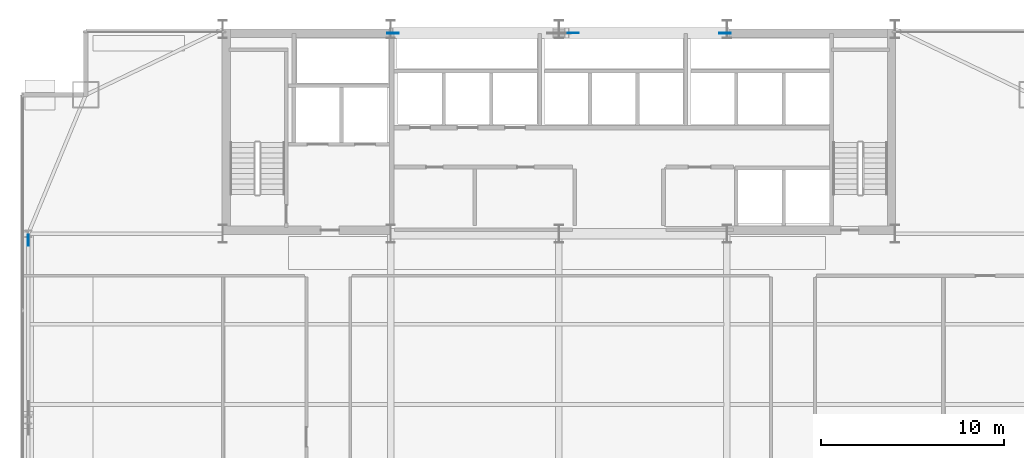
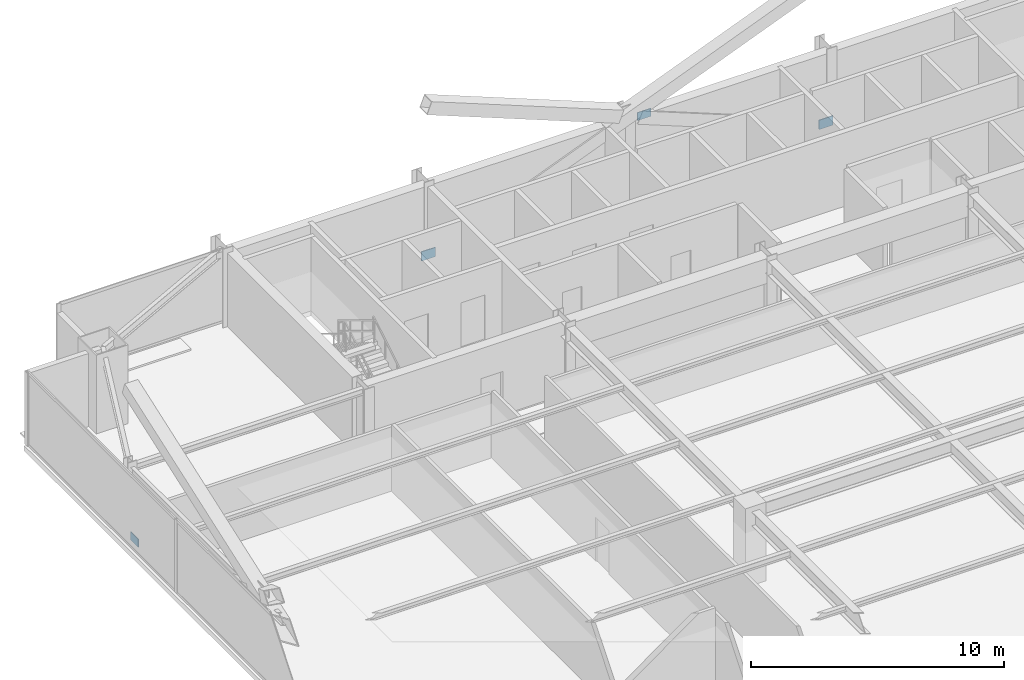
# One storey, part 30 of 35: 4 plates.
"""IFC4 building model written with IfcOpenShell, lengths in metres."""

from ifc_helpers import new_model, si_unit, direction, frame, origin, origin_2d, place, context, subcontext, project, spatial, rectangle, extrude, source, transform, mapped, material, layer, layer_set, type_object, type_shapes, element, save


model = new_model("IFC4")

# Units and contexts
model_context = context("Model", 3, precision=1e-05, world=origin(), true_north=direction((0.0, 1.0)))
body_context = subcontext(model_context, "Body", "Model", "MODEL_VIEW")
ifc_project = project(units=[si_unit("LENGTHUNIT", "METRE"), si_unit("AREAUNIT", "SQUARE_METRE"), si_unit("VOLUMEUNIT", "CUBIC_METRE"), si_unit("PLANEANGLEUNIT", "RADIAN"), si_unit("MASSUNIT", "GRAM", prefix="KILO")], contexts=[model_context])

# Site, building, storey
site_placement = place(None, origin())
site = spatial("IfcSite", under=ifc_project, at=site_placement, CompositionType="ELEMENT")
building_placement = place(site_placement, origin())
building = spatial("IfcBuilding", under=site, at=building_placement, Name="Varnel Quay Broadcast Tower", CompositionType="ELEMENT")
storey_placement = place(building_placement, frame((0.0, 0.0, 87.0)))
storey = spatial("IfcBuildingStorey", under=building, at=storey_placement, Name="L20", CompositionType="ELEMENT", Elevation=87.0)

# Plates
ifc_material = material(Name="Structural Steel CSA G40.21 350WT", Category="steel")
ifc_layer_1 = layer(ifc_material, 0.0400390625, Name="Structural Steel CSA G40.21 350WT")
ifc_layer_set_1 = layer_set([ifc_layer_1], Name="Structural Steel CSA G40.21 350WT")
plate_type_1 = type_object("IfcPlateType", Name="Plate_EmbedPlate", PredefinedType="USERDEFINED", material=ifc_layer_set_1)
shared_shape_1 = source(origin(), body_context, "Body", "SweptSolid", [
    extrude(rectangle(XDim=0.639892578125, YDim=0.0400390625, at=origin_2d()), origin(), (0.0, 0.0, 1.0), 0.449951171875),
])
type_shapes(plate_type_1, [shared_shape_1])
for number, where, z_axis, x_axis, name in (
    (1, (24.91162109375, 46.580078125, -0.16064453125), (0.0, 0.0, 1.0), (1.0, 0.0, 0.0), "Zone 2 Mega-Brace N-CT1 Diag A Wall Cast-In Embed Plate P0"),
    (2, (43.08837890625, 46.580078125, -0.16064453125), (0.0, 0.0, 1.0), (1.0, 0.0, 0.0), "Zone 2 Mega-Brace N-CT1 Diag B1 Wall Cast-In Embed Plate P0"),
):
    element("IfcPlate", number, at=place(storey_placement, frame(where, z_axis=z_axis, x_axis=x_axis)), inside=storey, type_object=plate_type_1, Name=name, ObjectType="EMBED_PLATE", PredefinedType="USERDEFINED", context=body_context, shape_type="MappedRepresentation", body=[
        mapped(shared_shape_1, transform((0.0, 0.0, 0.0), x_axis=(1.0, 0.0, 0.0), y_axis=(0.0, 1.0, 0.0), z_axis=(0.0, 0.0, 1.0), scale=1.0)),
    ])
ifc_layer_2 = layer(ifc_material, 0.031982421875, Name="Structural Steel CSA G40.21 350WT")
ifc_layer_set_2 = layer_set([ifc_layer_2], Name="Structural Steel CSA G40.21 350WT")
plate_type_2 = type_object("IfcPlateType", Name="Plate_EndCap", PredefinedType="USERDEFINED", material=ifc_layer_set_2)
shared_shape_2 = source(origin(), body_context, "Body", "SweptSolid", [
    extrude(rectangle(XDim=0.6201171875, YDim=0.031982421875, at=origin_2d()), origin(), (0.0, 0.0, 1.0), 0.3798828125),
])
type_shapes(plate_type_2, [shared_shape_2])
for number, where, z_axis, x_axis, name in (
    (3, (34.78271484375, 46.580078125, 3.174072265625), (0.0, 0.0, 1.0), (1.0, 0.0, 0.0), "Zone 2 Mega-Brace N-CT1 Diag B1 End Connection Plate P1"),
    (4, (4.949951171875, 35.241943359375, -0.042724609375), (0.0, 0.0, 1.0), (0.0, 1.0, 0.0), "Zone 2 Mega-Brace W-FT1 Diag B1 End Connection Plate P0"),
):
    element("IfcPlate", number, at=place(storey_placement, frame(where, z_axis=z_axis, x_axis=x_axis)), inside=storey, type_object=plate_type_2, Name=name, ObjectType="CAP_PLATE", PredefinedType="USERDEFINED", context=body_context, shape_type="MappedRepresentation", body=[
        mapped(shared_shape_2, transform((0.0, 0.0, 0.0), x_axis=(1.0, 0.0, 0.0), y_axis=(0.0, 1.0, 0.0), z_axis=(0.0, 0.0, 1.0), scale=1.0)),
    ])

save(model, "model.ifc")
